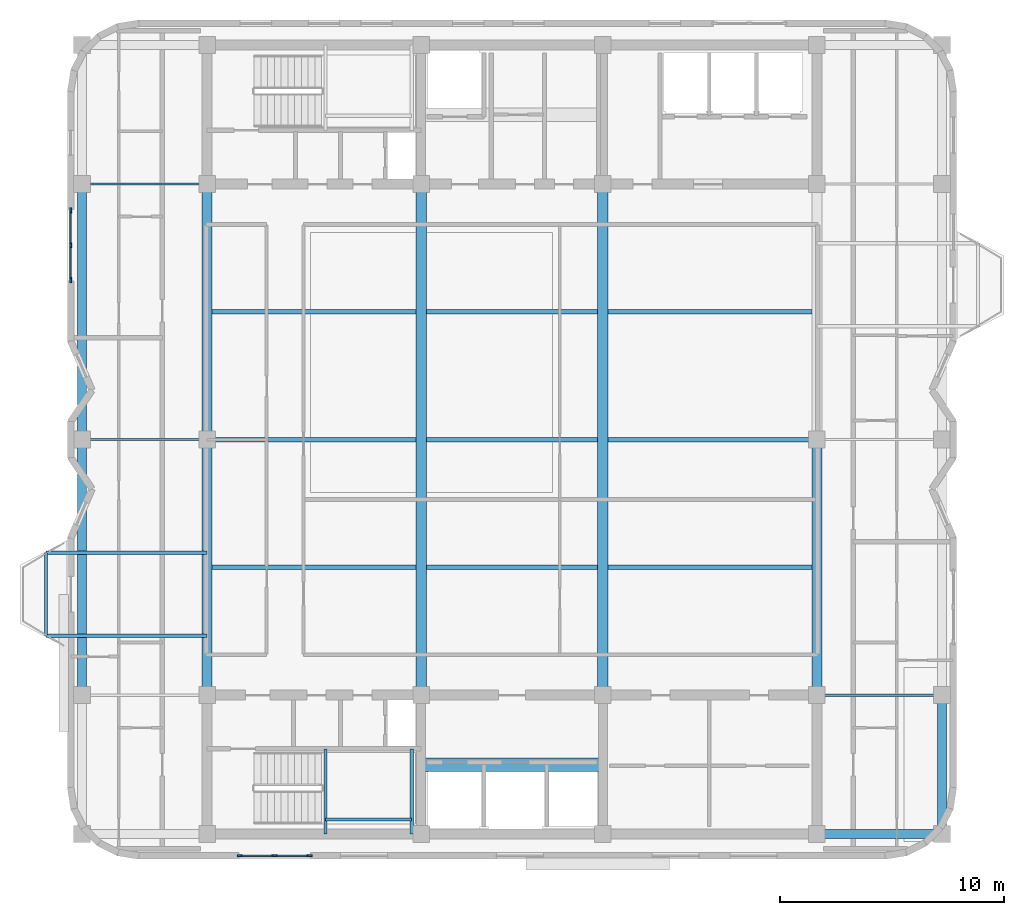
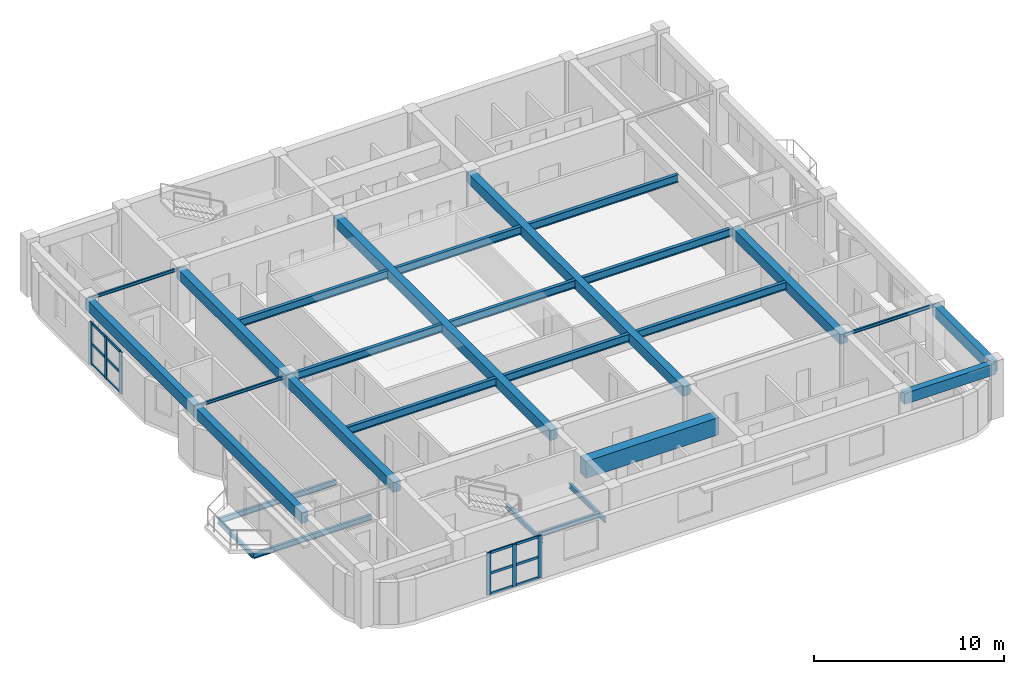
# One storey, part 2 of 11: 28 beams, 18 members, 2 elements without a shape of their own.
"""IFC4 building model written with IfcOpenShell, lengths in metres."""

from ifc_helpers import new_model, si_unit, direction, frame, origin, origin_2d, place, context, subcontext, project, spatial, rectangle, i_section, extrude, material, material_profile, profile_set, type_object, element, aggregate, save


model = new_model("IFC4")

# Units and contexts
model_context = context("Model", 3, precision=1e-05, world=origin(), true_north=direction((0.0, 1.0)))
body_context = subcontext(model_context, "Body", "Model", "MODEL_VIEW")
ifc_project = project(units=[si_unit("LENGTHUNIT", "METRE"), si_unit("AREAUNIT", "SQUARE_METRE"), si_unit("VOLUMEUNIT", "CUBIC_METRE"), si_unit("PLANEANGLEUNIT", "RADIAN"), si_unit("MASSUNIT", "GRAM", prefix="KILO")], contexts=[model_context])

# Site, building, storey
site_placement = place(None, origin())
site = spatial("IfcSite", under=ifc_project, at=site_placement, CompositionType="ELEMENT")
building_placement = place(site_placement, origin())
building = spatial("IfcBuilding", under=site, at=building_placement, Name="Svetorya Sky Lyceum", CompositionType="ELEMENT")
storey_placement = place(building_placement, frame((0.0, 0.0, 293.5)))
storey = spatial("IfcBuildingStorey", under=building, at=storey_placement, Name="L74", CompositionType="ELEMENT", Elevation=293.5)

# Beams
ifc_material_1 = material(Name="Concrete C60/75", Category="concrete")
ifc_material_profile_1 = material_profile(ifc_material_1, rectangle(XDim=0.60009765625, YDim=1.10009765625, at=origin_2d()), Name="RC COUPLING 600x1100")
ifc_profile_set_1 = profile_set([ifc_material_profile_1], Name="Concrete C60/75")
beam_type_1 = type_object("IfcBeamType", Name="BM-CPL-1100", PredefinedType="LINTEL", material=ifc_profile_set_1)
beam_1_placement = place(storey_placement, frame((35.14990234375, 13.699951171875, 2.8798828125), z_axis=(1.0, 0.0, 0.0), x_axis=(0.0, 1.0, 0.0)))
element("IfcBeam", 1, at=beam_1_placement, inside=storey, type_object=beam_type_1, Name="L74 SC Core Coupling Beam", PredefinedType="LINTEL", context=body_context, shape_type="SweptSolid", body=[
    extrude(rectangle(XDim=0.60009765625, YDim=1.10009765625, at=origin_2d()), origin(), (0.0, 0.0, 1.0), 8.10009765625),
])
ifc_material_2 = material(Name="Concrete C40/50", Category="concrete")
ifc_material_profile_2 = material_profile(ifc_material_2, rectangle(XDim=0.449951171875, YDim=0.64990234375, at=origin_2d()), Name="RC BEAM 450x650")
ifc_profile_set_2 = profile_set([ifc_material_profile_2], Name="Concrete C40/50")
beam_type_2 = type_object("IfcBeamType", Name="BM-RC-650", PredefinedType="BEAM", material=ifc_profile_set_2)
beam_2_placement = place(storey_placement, frame((25.60009765625, 16.800048828125, 3.10498046875), z_axis=(0.0, 1.0, 0.0), x_axis=(-1.0, 0.0, 0.0)))
element("IfcBeam", 2, at=beam_2_placement, inside=storey, type_object=beam_type_2, Name="L74 Central Bay Primary Girder CG-1A", PredefinedType="BEAM", context=body_context, shape_type="SweptSolid", body=[
    extrude(rectangle(XDim=0.449951171875, YDim=0.64990234375, at=origin_2d()), origin(), (0.0, 0.0, 1.0), 11.39990234375),
])
beam_3_placement = place(storey_placement, frame((25.60009765625, 28.199951171875, 3.10498046875), z_axis=(0.0, 1.0, 0.0), x_axis=(-1.0, 0.0, 0.0)))
element("IfcBeam", 3, at=beam_3_placement, inside=storey, type_object=beam_type_2, Name="L74 Central Bay Primary Girder CG-1B", PredefinedType="BEAM", context=body_context, shape_type="SweptSolid", body=[
    extrude(rectangle(XDim=0.449951171875, YDim=0.64990234375, at=origin_2d()), origin(), (0.0, 0.0, 1.0), 11.400146484375),
])
for number, where, z_axis, x_axis, name in (
    (4, (35.14990234375, 16.800048828125, 3.10498046875), (0.0, 1.0, 0.0), (-1.0, 0.0, 0.0), "L74 Central Bay Primary Girder CG-2"),
    (5, (43.25, 16.800048828125, 3.10498046875), (0.0, 1.0, 0.0), (-1.0, 0.0, 0.0), "L74 Central Bay Primary Girder CG-3"),
):
    element("IfcBeam", number, at=place(storey_placement, frame(where, z_axis=z_axis, x_axis=x_axis)), inside=storey, type_object=beam_type_2, Name=name, PredefinedType="BEAM", context=body_context, shape_type="SweptSolid", body=[
        extrude(rectangle(XDim=0.449951171875, YDim=0.64990234375, at=origin_2d()), origin(), (0.0, 0.0, 1.0), 22.800048828125),
    ])
beam_4_placement = place(storey_placement, frame((52.800048828125, 16.800048828125, 3.10498046875), z_axis=(0.0, 1.0, 0.0), x_axis=(-1.0, 0.0, 0.0)))
element("IfcBeam", 6, at=beam_4_placement, inside=storey, type_object=beam_type_2, Name="L74 Central Bay Primary Girder CG-4A", PredefinedType="BEAM", context=body_context, shape_type="SweptSolid", body=[
    extrude(rectangle(XDim=0.449951171875, YDim=0.64990234375, at=origin_2d()), origin(), (0.0, 0.0, 1.0), 11.39990234375),
])
ifc_material_3 = material(Name="Concrete C50/60", Category="concrete")
ifc_material_profile_3 = material_profile(ifc_material_3, rectangle(XDim=0.39990234375, YDim=0.699951171875, at=origin_2d()), Name="RC SPANDREL 400x700")
ifc_profile_set_3 = profile_set([ifc_material_profile_3], Name="Concrete C50/60")
beam_type_3 = type_object("IfcBeamType", Name="BM-SPN-700", PredefinedType="SPANDREL", material=ifc_profile_set_3)
beam_5_placement = place(storey_placement, frame((52.800048828125, 10.60009765625, 3.080078125), z_axis=(1.0, 0.0, 0.0), x_axis=(0.0, 1.0, 0.0)))
element("IfcBeam", 7, at=beam_5_placement, inside=storey, type_object=beam_type_3, Name="L74 Tie Spandrel SE", PredefinedType="SPANDREL", context=body_context, shape_type="SweptSolid", body=[
    extrude(rectangle(XDim=0.39990234375, YDim=0.699951171875, at=origin_2d()), origin(), (0.0, 0.0, 1.0), 5.58984375),
])
beam_6_placement = place(storey_placement, frame((20.010009765625, 16.800048828125, 3.080078125), z_axis=(0.0, 1.0, 0.0), x_axis=(-1.0, 0.0, 0.0)))
element("IfcBeam", 8, at=beam_6_placement, inside=storey, type_object=beam_type_3, Name="L74 West Spandrel 2", PredefinedType="SPANDREL", context=body_context, shape_type="SweptSolid", body=[
    extrude(rectangle(XDim=0.39990234375, YDim=0.699951171875, at=origin_2d()), origin(), (0.0, 0.0, 1.0), 11.39990234375),
])
beam_7_placement = place(storey_placement, frame((20.010009765625, 28.199951171875, 3.080078125), z_axis=(0.0, 1.0, 0.0), x_axis=(-1.0, 0.0, 0.0)))
element("IfcBeam", 9, at=beam_7_placement, inside=storey, type_object=beam_type_3, Name="L74 West Spandrel 3", PredefinedType="SPANDREL", context=body_context, shape_type="SweptSolid", body=[
    extrude(rectangle(XDim=0.39990234375, YDim=0.699951171875, at=origin_2d()), origin(), (0.0, 0.0, 1.0), 11.400146484375),
])
beam_8_placement = place(storey_placement, frame((58.389892578125, 10.60009765625, 3.080078125), z_axis=(0.0, 1.0, 0.0), x_axis=(-1.0, 0.0, 0.0)))
element("IfcBeam", 10, at=beam_8_placement, inside=storey, type_object=beam_type_3, Name="L74 East Spandrel 1", PredefinedType="SPANDREL", context=body_context, shape_type="SweptSolid", body=[
    extrude(rectangle(XDim=0.39990234375, YDim=0.699951171875, at=origin_2d()), origin(), (0.0, 0.0, 1.0), 6.199951171875),
])
ifc_material_4 = material(Name="Steel S355", Category="steel")
ifc_material_profile_4 = material_profile(ifc_material_4, i_section(OverallWidth=0.10009765625, OverallDepth=0.199951171875, WebThickness=0.005615234375, FlangeThickness=0.008544921875, at=origin_2d()), Name="GOST 20B1")
ifc_profile_set_4 = profile_set([ifc_material_profile_4], Name="Steel S355")
beam_type_4 = type_object("IfcBeamType", Name="BM-STL-20B1", PredefinedType="JOIST", material=ifc_profile_set_4)
beam_9_placement = place(storey_placement, frame((52.800048828125, 16.800048828125, 3.330078125), z_axis=(1.0, 0.0, 0.0), x_axis=(0.0, 1.0, 0.0)))
element("IfcBeam", 11, at=beam_9_placement, inside=storey, type_object=beam_type_4, Name="L74 East Wing Floor Joist E2", PredefinedType="JOIST", context=body_context, shape_type="SweptSolid", body=[
    extrude(i_section(OverallWidth=0.10009765625, OverallDepth=0.199951171875, WebThickness=0.005615234375, FlangeThickness=0.008544921875, at=origin_2d()), origin(), (0.0, 0.0, 1.0), 5.58984375),
])
for number, where, z_axis, x_axis, name in (
    (12, (20.010009765625, 28.199951171875, 3.330078125), (1.0, 0.0, 0.0), (0.0, 1.0, 0.0), "L74 West Wing Floor Joist W3"),
    (13, (20.010009765625, 39.60009765625, 3.330078125), (1.0, 0.0, 0.0), (0.0, 1.0, 0.0), "L74 West Wing Floor Joist W4"),
):
    element("IfcBeam", number, at=place(storey_placement, frame(where, z_axis=z_axis, x_axis=x_axis)), inside=storey, type_object=beam_type_4, Name=name, PredefinedType="JOIST", context=body_context, shape_type="SweptSolid", body=[
        extrude(i_section(OverallWidth=0.10009765625, OverallDepth=0.199951171875, WebThickness=0.005615234375, FlangeThickness=0.008544921875, at=origin_2d()), origin(), (0.0, 0.0, 1.0), 5.590087890625),
    ])
ifc_material_profile_5 = material_profile(ifc_material_4, i_section(OverallWidth=0.14990234375, OverallDepth=0.299072265625, WebThickness=0.006591796875, FlangeThickness=0.010498046875, at=origin_2d()), Name="GOST 30B2")
ifc_profile_set_5 = profile_set([ifc_material_profile_5], Name="Steel S355")
beam_type_5 = type_object("IfcBeamType", Name="BM-STL-30B2", PredefinedType="JOIST", material=ifc_profile_set_5)
beam_10_placement = place(storey_placement, frame((18.409912109375, 19.449951171875, -0.424560546875), z_axis=(0.0, 1.0, 0.0), x_axis=(-1.0, 0.0, 0.0)))
element("IfcBeam", 14, at=beam_10_placement, inside=storey, type_object=beam_type_5, Name="L74 Balcony Edge Tie BAL-W1", PredefinedType="JOIST", context=body_context, shape_type="SweptSolid", body=[
    extrude(i_section(OverallWidth=0.14990234375, OverallDepth=0.299072265625, WebThickness=0.006591796875, FlangeThickness=0.010498046875, at=origin_2d()), origin(), (0.0, 0.0, 1.0), 3.699951171875),
])
for number, where, z_axis, x_axis, name in (
    (15, (30.8798828125, 10.60009765625, 1.50048828125), (0.0, 1.0, 0.0), (-1.0, 0.0, 0.0), "L74 Stair ST-S Half-Landing Support Beam 82.1"),
    (16, (34.719970703125, 10.60009765625, 1.50048828125), (0.0, 1.0, 0.0), (-1.0, 0.0, 0.0), "L74 Stair ST-S Half-Landing Support Beam 82.2"),
):
    element("IfcBeam", number, at=place(storey_placement, frame(where, z_axis=z_axis, x_axis=x_axis)), inside=storey, type_object=beam_type_5, Name=name, PredefinedType="JOIST", context=body_context, shape_type="SweptSolid", body=[
        extrude(i_section(OverallWidth=0.14990234375, OverallDepth=0.299072265625, WebThickness=0.006591796875, FlangeThickness=0.010498046875, at=origin_2d()), origin(), (0.0, 0.0, 1.0), 3.7998046875),
    ])
beam_11_placement = place(storey_placement, frame((30.8798828125, 11.25, 1.50048828125), z_axis=(1.0, 0.0, 0.0), x_axis=(0.0, 1.0, 0.0)))
element("IfcBeam", 17, at=beam_11_placement, inside=storey, type_object=beam_type_5, Name="L74 Stair ST-S Half-Landing Cross Tie 82", PredefinedType="JOIST", context=body_context, shape_type="SweptSolid", body=[
    extrude(i_section(OverallWidth=0.14990234375, OverallDepth=0.299072265625, WebThickness=0.006591796875, FlangeThickness=0.010498046875, at=origin_2d()), origin(), (0.0, 0.0, 1.0), 3.840087890625),
])
ifc_material_profile_6 = material_profile(ifc_material_4, i_section(OverallWidth=0.155029296875, OverallDepth=0.34912109375, WebThickness=0.007080078125, FlangeThickness=0.011474609375, at=origin_2d()), Name="GOST 35B2")
ifc_profile_set_6 = profile_set([ifc_material_profile_6], Name="Steel S355")
beam_type_6 = type_object("IfcBeamType", Name="BM-STL-35B2", PredefinedType="JOIST", material=ifc_profile_set_6)
for number, where, z_axis, x_axis, name in (
    (18, (25.60009765625, 19.449951171875, -0.424560546875), (-1.0, 0.0, 0.0), (0.0, -1.0, 0.0), "L74 Balcony Cantilever Beam BAL-W1-1"),
    (19, (25.60009765625, 23.14990234375, -0.424560546875), (-1.0, 0.0, 0.0), (0.0, -1.0, 0.0), "L74 Balcony Cantilever Beam BAL-W1-2"),
):
    element("IfcBeam", number, at=place(storey_placement, frame(where, z_axis=z_axis, x_axis=x_axis)), inside=storey, type_object=beam_type_6, Name=name, PredefinedType="JOIST", context=body_context, shape_type="SweptSolid", body=[
        extrude(i_section(OverallWidth=0.155029296875, OverallDepth=0.34912109375, WebThickness=0.007080078125, FlangeThickness=0.011474609375, at=origin_2d()), origin(), (0.0, 0.0, 1.0), 7.190185546875),
    ])
ifc_material_profile_7 = material_profile(ifc_material_4, i_section(OverallWidth=0.198974609375, OverallDepth=0.498046875, WebThickness=0.010009765625, FlangeThickness=0.01611328125, at=origin_2d()), Name="GOST 50B2")
ifc_profile_set_7 = profile_set([ifc_material_profile_7], Name="Steel S355")
beam_type_7 = type_object("IfcBeamType", Name="BM-STL-50B2", PredefinedType="BEAM", material=ifc_profile_set_7)
beam_12_placement = place(storey_placement, frame((25.824951171875, 22.5, 3.180908203125), z_axis=(1.0, 0.0, 0.0), x_axis=(0.0, 1.0, 0.0)))
element("IfcBeam", 20, at=beam_12_placement, inside=storey, type_object=beam_type_7, Name="L74 Central Floor Joist CJ-1.1", PredefinedType="BEAM", context=body_context, shape_type="SweptSolid", body=[
    extrude(i_section(OverallWidth=0.198974609375, OverallDepth=0.498046875, WebThickness=0.010009765625, FlangeThickness=0.01611328125, at=origin_2d()), origin(), (0.0, 0.0, 1.0), 9.10009765625),
])
beam_13_placement = place(storey_placement, frame((35.375, 22.5, 3.180908203125), z_axis=(1.0, 0.0, 0.0), x_axis=(0.0, 1.0, 0.0)))
element("IfcBeam", 21, at=beam_13_placement, inside=storey, type_object=beam_type_7, Name="L74 Central Floor Joist CJ-1.2", PredefinedType="BEAM", context=body_context, shape_type="SweptSolid", body=[
    extrude(i_section(OverallWidth=0.198974609375, OverallDepth=0.498046875, WebThickness=0.010009765625, FlangeThickness=0.01611328125, at=origin_2d()), origin(), (0.0, 0.0, 1.0), 7.64990234375),
])
beam_14_placement = place(storey_placement, frame((43.47509765625, 22.5, 3.180908203125), z_axis=(1.0, 0.0, 0.0), x_axis=(0.0, 1.0, 0.0)))
element("IfcBeam", 22, at=beam_14_placement, inside=storey, type_object=beam_type_7, Name="L74 Central Floor Joist CJ-1.3", PredefinedType="BEAM", context=body_context, shape_type="SweptSolid", body=[
    extrude(i_section(OverallWidth=0.198974609375, OverallDepth=0.498046875, WebThickness=0.010009765625, FlangeThickness=0.01611328125, at=origin_2d()), origin(), (0.0, 0.0, 1.0), 9.099853515625),
])
beam_15_placement = place(storey_placement, frame((25.824951171875, 28.199951171875, 3.180908203125), z_axis=(1.0, 0.0, 0.0), x_axis=(0.0, 1.0, 0.0)))
element("IfcBeam", 23, at=beam_15_placement, inside=storey, type_object=beam_type_7, Name="L74 Central Floor Joist CJ-2.1", PredefinedType="BEAM", context=body_context, shape_type="SweptSolid", body=[
    extrude(i_section(OverallWidth=0.198974609375, OverallDepth=0.498046875, WebThickness=0.010009765625, FlangeThickness=0.01611328125, at=origin_2d()), origin(), (0.0, 0.0, 1.0), 9.10009765625),
])
beam_16_placement = place(storey_placement, frame((35.375, 28.199951171875, 3.180908203125), z_axis=(1.0, 0.0, 0.0), x_axis=(0.0, 1.0, 0.0)))
element("IfcBeam", 24, at=beam_16_placement, inside=storey, type_object=beam_type_7, Name="L74 Central Floor Joist CJ-2.2", PredefinedType="BEAM", context=body_context, shape_type="SweptSolid", body=[
    extrude(i_section(OverallWidth=0.198974609375, OverallDepth=0.498046875, WebThickness=0.010009765625, FlangeThickness=0.01611328125, at=origin_2d()), origin(), (0.0, 0.0, 1.0), 7.64990234375),
])
beam_17_placement = place(storey_placement, frame((43.47509765625, 28.199951171875, 3.180908203125), z_axis=(1.0, 0.0, 0.0), x_axis=(0.0, 1.0, 0.0)))
element("IfcBeam", 25, at=beam_17_placement, inside=storey, type_object=beam_type_7, Name="L74 Central Floor Joist CJ-2.3", PredefinedType="BEAM", context=body_context, shape_type="SweptSolid", body=[
    extrude(i_section(OverallWidth=0.198974609375, OverallDepth=0.498046875, WebThickness=0.010009765625, FlangeThickness=0.01611328125, at=origin_2d()), origin(), (0.0, 0.0, 1.0), 9.099853515625),
])
beam_18_placement = place(storey_placement, frame((25.824951171875, 33.89990234375, 3.180908203125), z_axis=(1.0, 0.0, 0.0), x_axis=(0.0, 1.0, 0.0)))
element("IfcBeam", 26, at=beam_18_placement, inside=storey, type_object=beam_type_7, Name="L74 Central Floor Joist CJ-3.1", PredefinedType="BEAM", context=body_context, shape_type="SweptSolid", body=[
    extrude(i_section(OverallWidth=0.198974609375, OverallDepth=0.498046875, WebThickness=0.010009765625, FlangeThickness=0.01611328125, at=origin_2d()), origin(), (0.0, 0.0, 1.0), 9.10009765625),
])
beam_19_placement = place(storey_placement, frame((35.375, 33.89990234375, 3.180908203125), z_axis=(1.0, 0.0, 0.0), x_axis=(0.0, 1.0, 0.0)))
element("IfcBeam", 27, at=beam_19_placement, inside=storey, type_object=beam_type_7, Name="L74 Central Floor Joist CJ-3.2", PredefinedType="BEAM", context=body_context, shape_type="SweptSolid", body=[
    extrude(i_section(OverallWidth=0.198974609375, OverallDepth=0.498046875, WebThickness=0.010009765625, FlangeThickness=0.01611328125, at=origin_2d()), origin(), (0.0, 0.0, 1.0), 7.64990234375),
])
beam_20_placement = place(storey_placement, frame((43.47509765625, 33.89990234375, 3.180908203125), z_axis=(1.0, 0.0, 0.0), x_axis=(0.0, 1.0, 0.0)))
element("IfcBeam", 28, at=beam_20_placement, inside=storey, type_object=beam_type_7, Name="L74 Central Floor Joist CJ-3.3", PredefinedType="BEAM", context=body_context, shape_type="SweptSolid", body=[
    extrude(i_section(OverallWidth=0.198974609375, OverallDepth=0.498046875, WebThickness=0.010009765625, FlangeThickness=0.01611328125, at=origin_2d()), origin(), (0.0, 0.0, 1.0), 9.099853515625),
])

# Curtain wall, members
ifc_material_5 = material(Name="Thermally broken anodized aluminium and triple low-E glass", Category="aluminium")
curtain_wall_type = type_object("IfcCurtainWallType", Name="CW6-CRN-OBS", PredefinedType="NOTDEFINED", material=ifc_material_5)
curtain_wall_1_placement = place(storey_placement, origin())
curtain_wall_1 = element("IfcCurtainWall", 29, at=curtain_wall_1_placement, inside=storey, type_object=curtain_wall_type, Name="L74 Observatory Curtain Wall 6", PredefinedType="NOTDEFINED")
ifc_material_6 = material(Name="Thermally broken anodized aluminium EN AW-6060", Category="aluminium")
ifc_material_profile_8 = material_profile(ifc_material_6, rectangle(XDim=0.0849609375, YDim=0.239990234375, at=origin_2d()), Name="ALU MULLION 85x240")
ifc_profile_set_8 = profile_set([ifc_material_profile_8], Name="Thermally broken anodized aluminium EN AW-6060")
member_type_1 = type_object("IfcMemberType", Name="CWM-MUL-240", PredefinedType="MULLION", material=ifc_profile_set_8)
member_1_placement = place(storey_placement, frame((27.052490234375, 9.6298828125, 0.0), z_axis=(0.0, 0.0, 1.0), x_axis=(0.0, 1.0, 0.0)))
member_1 = element("IfcMember", 30, at=member_1_placement, type_object=member_type_1, Name="CW-6 mullion 1", PredefinedType="MULLION", context=body_context, shape_type="SweptSolid", body=[
    extrude(rectangle(XDim=0.0849609375, YDim=0.239990234375, at=origin_2d()), origin(), (0.0, 0.0, 1.0), 2.7099609375),
])
member_2_placement = place(storey_placement, frame((28.610107421875, 9.6298828125, 0.0), z_axis=(0.0, 0.0, 1.0), x_axis=(0.0, 1.0, 0.0)))
member_2 = element("IfcMember", 31, at=member_2_placement, type_object=member_type_1, Name="CW-6 mullion 2", PredefinedType="MULLION", context=body_context, shape_type="SweptSolid", body=[
    extrude(rectangle(XDim=0.0849609375, YDim=0.239990234375, at=origin_2d()), origin(), (0.0, 0.0, 1.0), 2.7099609375),
])
member_3_placement = place(storey_placement, frame((30.16748046875, 9.6298828125, 0.0), z_axis=(0.0, 0.0, 1.0), x_axis=(0.0, 1.0, 0.0)))
member_3 = element("IfcMember", 32, at=member_3_placement, type_object=member_type_1, Name="CW-6 mullion 3", PredefinedType="MULLION", context=body_context, shape_type="SweptSolid", body=[
    extrude(rectangle(XDim=0.0849609375, YDim=0.239990234375, at=origin_2d()), origin(), (0.0, 0.0, 1.0), 2.7099609375),
])

curtain_wall_2_placement = place(storey_placement, origin())
curtain_wall_2 = element("IfcCurtainWall", 33, at=curtain_wall_2_placement, inside=storey, type_object=curtain_wall_type, Name="L74 Observatory Curtain Wall 30", PredefinedType="NOTDEFINED")
member_4_placement = place(storey_placement, frame((19.510009765625, 38.427490234375, 0.0), z_axis=(0.0, 0.0, 1.0), x_axis=(1.0, 0.0, 0.0)))
member_4 = element("IfcMember", 34, at=member_4_placement, type_object=member_type_1, Name="CW-6 mullion 1", PredefinedType="MULLION", context=body_context, shape_type="SweptSolid", body=[
    extrude(rectangle(XDim=0.0849609375, YDim=0.239990234375, at=origin_2d()), origin(), (0.0, 0.0, 1.0), 2.7099609375),
])
member_5_placement = place(storey_placement, frame((19.510009765625, 36.8701171875, 0.0), z_axis=(0.0, 0.0, 1.0), x_axis=(1.0, 0.0, 0.0)))
member_5 = element("IfcMember", 35, at=member_5_placement, type_object=member_type_1, Name="CW-6 mullion 2", PredefinedType="MULLION", context=body_context, shape_type="SweptSolid", body=[
    extrude(rectangle(XDim=0.0849609375, YDim=0.239990234375, at=origin_2d()), origin(), (0.0, 0.0, 1.0), 2.7099609375),
])
member_6_placement = place(storey_placement, frame((19.510009765625, 35.3125, 0.0), z_axis=(0.0, 0.0, 1.0), x_axis=(1.0, 0.0, 0.0)))
member_6 = element("IfcMember", 36, at=member_6_placement, type_object=member_type_1, Name="CW-6 mullion 3", PredefinedType="MULLION", context=body_context, shape_type="SweptSolid", body=[
    extrude(rectangle(XDim=0.0849609375, YDim=0.239990234375, at=origin_2d()), origin(), (0.0, 0.0, 1.0), 2.7099609375),
])

# Member
ifc_material_profile_9 = material_profile(ifc_material_6, rectangle(XDim=0.074951171875, YDim=0.159912109375, at=origin_2d()), Name="ALU TRANSOM 75x160")
ifc_profile_set_9 = profile_set([ifc_material_profile_9], Name="Thermally broken anodized aluminium EN AW-6060")
member_type_2 = type_object("IfcMemberType", Name="CWM-TRN-160", PredefinedType="USERDEFINED", material=ifc_profile_set_9)
member_7_placement = place(storey_placement, frame((27.093505859375, 9.6298828125, 0.03759765625), z_axis=(1.0, 0.0, 0.0), x_axis=(0.0, 1.0, 0.0)))
member_7 = element("IfcMember", 37, at=member_7_placement, type_object=member_type_2, Name="CW-6 transom 1.1", ObjectType="TRANSOM", PredefinedType="USERDEFINED", context=body_context, shape_type="SweptSolid", body=[
    extrude(rectangle(XDim=0.074951171875, YDim=0.159912109375, at=origin_2d()), origin(), (0.0, 0.0, 1.0), 1.4755859375),
])

member_8_placement = place(storey_placement, frame((27.093505859375, 9.6298828125, 1.35498046875), z_axis=(1.0, 0.0, 0.0), x_axis=(0.0, 1.0, 0.0)))
member_8 = element("IfcMember", 38, at=member_8_placement, type_object=member_type_2, Name="CW-6 transom 1.2", ObjectType="TRANSOM", PredefinedType="USERDEFINED", context=body_context, shape_type="SweptSolid", body=[
    extrude(rectangle(XDim=0.074951171875, YDim=0.159912109375, at=origin_2d()), origin(), (0.0, 0.0, 1.0), 1.4755859375),
])

member_9_placement = place(storey_placement, frame((27.093505859375, 9.6298828125, 2.672607421875), z_axis=(1.0, 0.0, 0.0), x_axis=(0.0, 1.0, 0.0)))
member_9 = element("IfcMember", 39, at=member_9_placement, type_object=member_type_2, Name="CW-6 transom 1.3", ObjectType="TRANSOM", PredefinedType="USERDEFINED", context=body_context, shape_type="SweptSolid", body=[
    extrude(rectangle(XDim=0.074951171875, YDim=0.159912109375, at=origin_2d()), origin(), (0.0, 0.0, 1.0), 1.4755859375),
])

member_10_placement = place(storey_placement, frame((28.65087890625, 9.6298828125, 0.03759765625), z_axis=(1.0, 0.0, 0.0), x_axis=(0.0, 1.0, 0.0)))
member_10 = element("IfcMember", 40, at=member_10_placement, type_object=member_type_2, Name="CW-6 transom 2.1", ObjectType="TRANSOM", PredefinedType="USERDEFINED", context=body_context, shape_type="SweptSolid", body=[
    extrude(rectangle(XDim=0.074951171875, YDim=0.159912109375, at=origin_2d()), origin(), (0.0, 0.0, 1.0), 1.4755859375),
])

member_11_placement = place(storey_placement, frame((28.65087890625, 9.6298828125, 1.35498046875), z_axis=(1.0, 0.0, 0.0), x_axis=(0.0, 1.0, 0.0)))
member_11 = element("IfcMember", 41, at=member_11_placement, type_object=member_type_2, Name="CW-6 transom 2.2", ObjectType="TRANSOM", PredefinedType="USERDEFINED", context=body_context, shape_type="SweptSolid", body=[
    extrude(rectangle(XDim=0.074951171875, YDim=0.159912109375, at=origin_2d()), origin(), (0.0, 0.0, 1.0), 1.4755859375),
])

member_12_placement = place(storey_placement, frame((28.65087890625, 9.6298828125, 2.672607421875), z_axis=(1.0, 0.0, 0.0), x_axis=(0.0, 1.0, 0.0)))
member_12 = element("IfcMember", 42, at=member_12_placement, type_object=member_type_2, Name="CW-6 transom 2.3", ObjectType="TRANSOM", PredefinedType="USERDEFINED", context=body_context, shape_type="SweptSolid", body=[
    extrude(rectangle(XDim=0.074951171875, YDim=0.159912109375, at=origin_2d()), origin(), (0.0, 0.0, 1.0), 1.4755859375),
])

aggregate(curtain_wall_1, [member_1, member_2, member_3, member_7, member_8, member_9, member_10, member_11, member_12])

member_13_placement = place(storey_placement, frame((19.510009765625, 38.386474609375, 0.03759765625), z_axis=(0.0, -1.0, 0.0), x_axis=(1.0, 0.0, 0.0)))
member_13 = element("IfcMember", 43, at=member_13_placement, type_object=member_type_2, Name="CW-6 transom 1.1", ObjectType="TRANSOM", PredefinedType="USERDEFINED", context=body_context, shape_type="SweptSolid", body=[
    extrude(rectangle(XDim=0.074951171875, YDim=0.159912109375, at=origin_2d()), origin(), (0.0, 0.0, 1.0), 1.4755859375),
])

member_14_placement = place(storey_placement, frame((19.510009765625, 38.386474609375, 1.35498046875), z_axis=(0.0, -1.0, 0.0), x_axis=(1.0, 0.0, 0.0)))
member_14 = element("IfcMember", 44, at=member_14_placement, type_object=member_type_2, Name="CW-6 transom 1.2", ObjectType="TRANSOM", PredefinedType="USERDEFINED", context=body_context, shape_type="SweptSolid", body=[
    extrude(rectangle(XDim=0.074951171875, YDim=0.159912109375, at=origin_2d()), origin(), (0.0, 0.0, 1.0), 1.4755859375),
])

member_15_placement = place(storey_placement, frame((19.510009765625, 38.386474609375, 2.672607421875), z_axis=(0.0, -1.0, 0.0), x_axis=(1.0, 0.0, 0.0)))
member_15 = element("IfcMember", 45, at=member_15_placement, type_object=member_type_2, Name="CW-6 transom 1.3", ObjectType="TRANSOM", PredefinedType="USERDEFINED", context=body_context, shape_type="SweptSolid", body=[
    extrude(rectangle(XDim=0.074951171875, YDim=0.159912109375, at=origin_2d()), origin(), (0.0, 0.0, 1.0), 1.4755859375),
])

member_16_placement = place(storey_placement, frame((19.510009765625, 36.8291015625, 0.03759765625), z_axis=(0.0, -1.0, 0.0), x_axis=(1.0, 0.0, 0.0)))
member_16 = element("IfcMember", 46, at=member_16_placement, type_object=member_type_2, Name="CW-6 transom 2.1", ObjectType="TRANSOM", PredefinedType="USERDEFINED", context=body_context, shape_type="SweptSolid", body=[
    extrude(rectangle(XDim=0.074951171875, YDim=0.159912109375, at=origin_2d()), origin(), (0.0, 0.0, 1.0), 1.4755859375),
])

member_17_placement = place(storey_placement, frame((19.510009765625, 36.8291015625, 1.35498046875), z_axis=(0.0, -1.0, 0.0), x_axis=(1.0, 0.0, 0.0)))
member_17 = element("IfcMember", 47, at=member_17_placement, type_object=member_type_2, Name="CW-6 transom 2.2", ObjectType="TRANSOM", PredefinedType="USERDEFINED", context=body_context, shape_type="SweptSolid", body=[
    extrude(rectangle(XDim=0.074951171875, YDim=0.159912109375, at=origin_2d()), origin(), (0.0, 0.0, 1.0), 1.4755859375),
])

member_18_placement = place(storey_placement, frame((19.510009765625, 36.8291015625, 2.672607421875), z_axis=(0.0, -1.0, 0.0), x_axis=(1.0, 0.0, 0.0)))
member_18 = element("IfcMember", 48, at=member_18_placement, type_object=member_type_2, Name="CW-6 transom 2.3", ObjectType="TRANSOM", PredefinedType="USERDEFINED", context=body_context, shape_type="SweptSolid", body=[
    extrude(rectangle(XDim=0.074951171875, YDim=0.159912109375, at=origin_2d()), origin(), (0.0, 0.0, 1.0), 1.4755859375),
])

aggregate(curtain_wall_2, [member_4, member_5, member_6, member_13, member_14, member_15, member_16, member_17, member_18])

save(model, "model.ifc")
